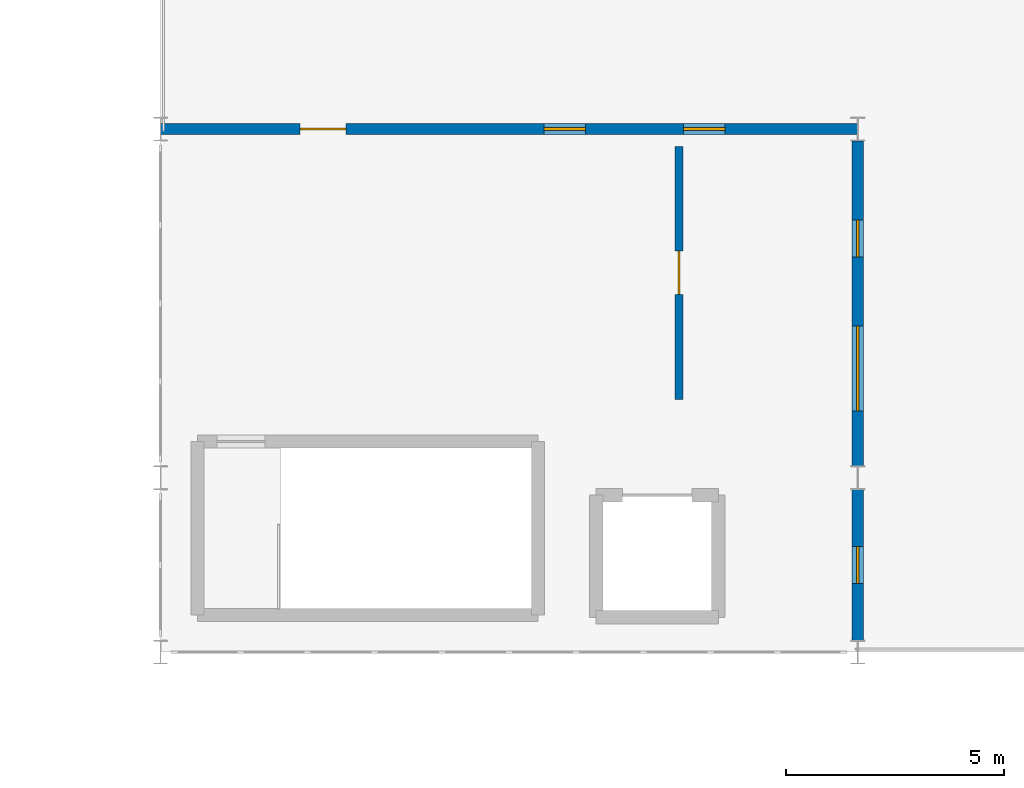
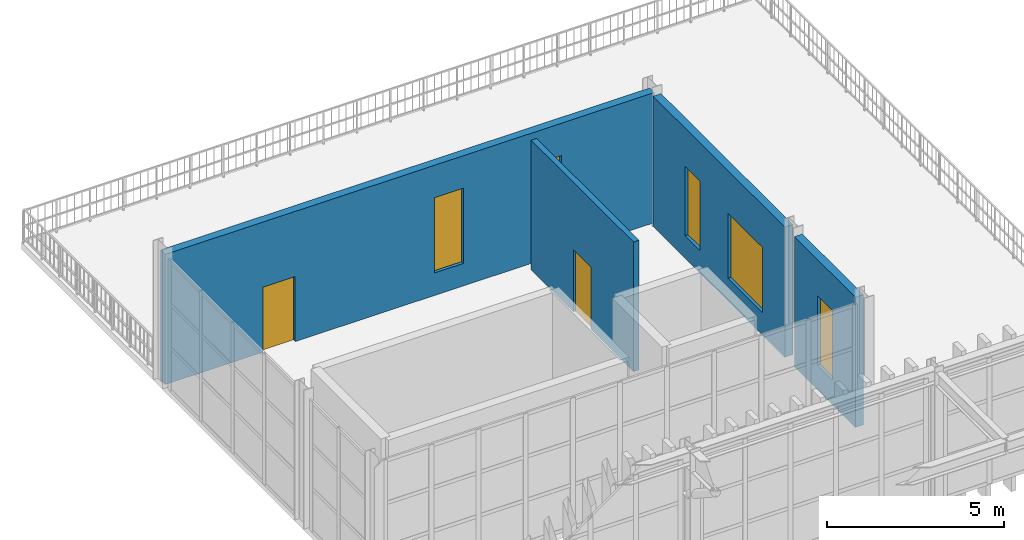
# One storey, part 52 of 61: 5 windows, 4 walls, 2 doors, 7 openings.
"""IFC4 building model written with IfcOpenShell, lengths in metres."""

from ifc_helpers import new_model, si_unit, direction, frame, frame_2d, origin, place, context, subcontext, project, spatial, rectangle, extrude, material, layer, layer_set, type_object, element, fill, save


model = new_model("IFC4")

# Units and contexts
model_context = context("Model", 3, precision=1e-05, world=origin(), true_north=direction((0.0, 1.0)))
body_context = subcontext(model_context, "Body", "Model", "MODEL_VIEW")
ifc_project = project(units=[si_unit("LENGTHUNIT", "METRE"), si_unit("AREAUNIT", "SQUARE_METRE"), si_unit("VOLUMEUNIT", "CUBIC_METRE"), si_unit("PLANEANGLEUNIT", "RADIAN"), si_unit("MASSUNIT", "GRAM", prefix="KILO")], contexts=[model_context])

# Site, building, storey
site_placement = place(None, origin())
site = spatial("IfcSite", under=ifc_project, at=site_placement, CompositionType="ELEMENT")
building_placement = place(site_placement, origin())
building = spatial("IfcBuilding", under=site, at=building_placement, Name="Serraluz Foothill Cableway Terminal", CompositionType="ELEMENT")
storey_placement = place(building_placement, frame((0.0, 0.0, 15.0)))
storey = spatial("IfcBuildingStorey", under=building, at=storey_placement, Name="L03", CompositionType="ELEMENT", Elevation=15.0)

# Wall, openings, door, windows
ifc_material_1 = material(Name="Fired clay masonry brick (f'm 12 MPa)", Category="masonry")
ifc_layer_1 = layer(ifc_material_1, 0.260009765625, Name="Fired clay masonry brick (f'm 12 MPa)", Category="masonry")
ifc_layer_set_1 = layer_set([ifc_layer_1], Name="Fired clay masonry brick (f'm 12 MPa)")
wall_type_1 = type_object("IfcWallType", Name="TYP-WL-EXT-260", PredefinedType="STANDARD", material=ifc_layer_set_1)
wall_1_placement = place(storey_placement, frame((80.006103515625, 88.0, 0.0), z_axis=(0.0, 0.0, 1.0), x_axis=(1.0, 0.0, 0.0)))
wall_1 = element("IfcWall", 1, at=wall_1_placement, inside=storey, type_object=wall_type_1, Name="Exterior Masonry Wall EW-V4N-L03", PredefinedType="STANDARD", context=body_context, shape_type="SweptSolid", body=[
    extrude(rectangle(XDim=15.98779296875, YDim=0.260009765625, at=frame_2d((7.993896484375, 0.0))), origin(), (0.0, 0.0, 1.0), 4.5),
])
opening_1_placement = place(wall_1_placement, frame((8.798095703125, 0.0, 0.780029296875)))
opening_1 = element("IfcOpeningElement", 2, at=opening_1_placement, cuts=wall_1, Name="Opening W-03", PredefinedType="OPENING", context=body_context, shape_type="SweptSolid", body=[
    extrude(rectangle(XDim=0.949951171875, YDim=2.60009765625, at=frame_2d((0.47509765625, 1.300048828125))), frame((0.0, 0.14013671875, 0.0), z_axis=(0.0, -1.0, 0.0), x_axis=(1.0, 0.0, 0.0)), (0.0, 0.0, 1.0), 0.280029296875),
])
opening_2_placement = place(wall_1_placement, frame((11.99560546875, 0.0, 0.780029296875)))
opening_2 = element("IfcOpeningElement", 3, at=opening_2_placement, cuts=wall_1, Name="Opening W-03", PredefinedType="OPENING", context=body_context, shape_type="SweptSolid", body=[
    extrude(rectangle(XDim=0.949951171875, YDim=2.60009765625, at=frame_2d((0.47509765625, 1.300048828125))), frame((0.0, 0.14013671875, 0.0), z_axis=(0.0, -1.0, 0.0), x_axis=(1.0, 0.0, 0.0)), (0.0, 0.0, 1.0), 0.280029296875),
])
opening_3_placement = place(wall_1_placement, frame((3.199951171875, 0.0, 0.0)))
opening_3 = element("IfcOpeningElement", 4, at=opening_3_placement, cuts=wall_1, Name="Opening DT-01", PredefinedType="OPENING", context=body_context, shape_type="SweptSolid", body=[
    extrude(rectangle(XDim=1.050048828125, YDim=2.25, at=frame_2d((0.52490234375, 1.125))), frame((0.0, 0.14013671875, 0.0), z_axis=(0.0, -1.0, 0.0), x_axis=(1.0, 0.0, 0.0)), (0.0, 0.0, 1.0), 0.280029296875),
])
ifc_material_2 = material(Name="Architectural bronze alloy C28000", Category="aluminium")
door_type_1 = type_object("IfcDoorType", Name="TYP-DR-TER-1050", OperationType="NOTDEFINED", PredefinedType="DOOR", material=ifc_material_2)
door_1_placement = place(opening_3_placement, origin())
door_1 = element("IfcDoor", 5, at=door_1_placement, inside=storey, type_object=door_type_1, Name="SCADA North Terrace Access Door L03", OperationType="SINGLE_SWING_RIGHT", OverallHeight=2.25, OverallWidth=1.050048828125, PredefinedType="DOOR", context=body_context, shape_type="SweptSolid", body=[
    extrude(rectangle(XDim=1.050048828125, YDim=2.25, at=frame_2d((0.52490234375, 1.125))), frame((0.0, 0.02490234375, 0.0), z_axis=(0.0, -1.0, 0.0), x_axis=(1.0, 0.0, 0.0)), (0.0, 0.0, 1.0), 0.050048828125),
])
fill(opening_3, door_1)
ifc_material_3 = material(Name="Laminated low-E safety glass", Category="glass")
window_type_1 = type_object("IfcWindowType", Name="TYP-WN-095X260", PartitioningType="SINGLE_PANEL", PredefinedType="WINDOW", material=ifc_material_3)
window_1_placement = place(opening_1_placement, origin())
window_1 = element("IfcWindow", 6, at=window_1_placement, inside=storey, type_object=window_type_1, Name="Exterior Window EW-V4N-L03-WN1", OverallHeight=2.60009765625, OverallWidth=0.949951171875, PartitioningType="SINGLE_PANEL", PredefinedType="WINDOW", context=body_context, shape_type="SweptSolid", body=[
    extrude(rectangle(XDim=0.949951171875, YDim=2.60009765625, at=frame_2d((0.47509765625, 1.300048828125))), frame((0.0, 0.030029296875, 0.0), z_axis=(0.0, -1.0, 0.0), x_axis=(1.0, 0.0, 0.0)), (0.0, 0.0, 1.0), 0.06005859375),
])
fill(opening_1, window_1)
window_2_placement = place(opening_2_placement, origin())
window_2 = element("IfcWindow", 7, at=window_2_placement, inside=storey, type_object=window_type_1, Name="Exterior Window EW-V4N-L03-WN2", OverallHeight=2.60009765625, OverallWidth=0.949951171875, PartitioningType="SINGLE_PANEL", PredefinedType="WINDOW", context=body_context, shape_type="SweptSolid", body=[
    extrude(rectangle(XDim=0.949951171875, YDim=2.60009765625, at=frame_2d((0.47509765625, 1.300048828125))), frame((0.0, 0.030029296875, 0.0), z_axis=(0.0, -1.0, 0.0), x_axis=(1.0, 0.0, 0.0)), (0.0, 0.0, 1.0), 0.06005859375),
])
fill(opening_2, window_2)

# Wall, openings, windows
wall_2_placement = place(storey_placement, frame((96.0, 87.728515625, 0.0), z_axis=(0.0, 0.0, 1.0), x_axis=(0.0, -1.0, 0.0)))
wall_2 = element("IfcWall", 8, at=wall_2_placement, inside=storey, type_object=wall_type_1, Name="Exterior Masonry Wall EW-V4E-L03A", PredefinedType="STANDARD", context=body_context, shape_type="SweptSolid", body=[
    extrude(rectangle(XDim=7.45703125, YDim=0.260009765625, at=frame_2d((3.728515625, 0.0))), origin(), (0.0, 0.0, 1.0), 4.5),
])
opening_4_placement = place(wall_2_placement, frame((1.81201171875, 0.0, 0.780029296875)))
opening_4 = element("IfcOpeningElement", 9, at=opening_4_placement, cuts=wall_2, Name="Opening W-02", PredefinedType="OPENING", context=body_context, shape_type="SweptSolid", body=[
    extrude(rectangle(XDim=0.85009765625, YDim=2.39990234375, at=frame_2d((0.425048828125, 1.199951171875))), frame((0.0, 0.14013671875, 0.0), z_axis=(0.0, -1.0, 0.0), x_axis=(1.0, 0.0, 0.0)), (0.0, 0.0, 1.0), 0.280029296875),
])
opening_5_placement = place(wall_2_placement, frame((4.244873046875, 0.0, 0.780029296875)))
opening_5 = element("IfcOpeningElement", 10, at=opening_5_placement, cuts=wall_2, Name="Opening W-28", PredefinedType="OPENING", context=body_context, shape_type="SweptSolid", body=[
    extrude(rectangle(XDim=1.949951171875, YDim=2.25, at=frame_2d((0.97509765625, 1.125))), frame((0.0, 0.14013671875, 0.0), z_axis=(0.0, -1.0, 0.0), x_axis=(1.0, 0.0, 0.0)), (0.0, 0.0, 1.0), 0.280029296875),
])
window_type_2 = type_object("IfcWindowType", Name="TYP-WN-085X240", PartitioningType="SINGLE_PANEL", PredefinedType="WINDOW", material=ifc_material_3)
window_3_placement = place(opening_4_placement, origin())
window_3 = element("IfcWindow", 11, at=window_3_placement, inside=storey, type_object=window_type_2, Name="Exterior Window EW-V4E-L03A-WN1", OverallHeight=2.39990234375, OverallWidth=0.85009765625, PartitioningType="SINGLE_PANEL", PredefinedType="WINDOW", context=body_context, shape_type="SweptSolid", body=[
    extrude(rectangle(XDim=0.85009765625, YDim=2.39990234375, at=frame_2d((0.425048828125, 1.199951171875))), frame((0.0, 0.030029296875, 0.0), z_axis=(0.0, -1.0, 0.0), x_axis=(1.0, 0.0, 0.0)), (0.0, 0.0, 1.0), 0.06005859375),
])
fill(opening_4, window_3)
window_type_3 = type_object("IfcWindowType", Name="TYP-WN-195X225", PartitioningType="DOUBLE_PANEL_VERTICAL", PredefinedType="WINDOW", material=ifc_material_3)
window_4_placement = place(opening_5_placement, origin())
window_4 = element("IfcWindow", 12, at=window_4_placement, inside=storey, type_object=window_type_3, Name="Exterior Window EW-V4E-L03A-WN2", OverallHeight=2.25, OverallWidth=1.949951171875, PartitioningType="SINGLE_PANEL", PredefinedType="WINDOW", context=body_context, shape_type="SweptSolid", body=[
    extrude(rectangle(XDim=1.949951171875, YDim=2.25, at=frame_2d((0.97509765625, 1.125))), frame((0.0, 0.030029296875, 0.0), z_axis=(0.0, -1.0, 0.0), x_axis=(1.0, 0.0, 0.0)), (0.0, 0.0, 1.0), 0.06005859375),
])
fill(opening_5, window_4)

# Wall, opening, window
wall_3_placement = place(storey_placement, frame((96.0, 79.728515625, 0.0), z_axis=(0.0, 0.0, 1.0), x_axis=(0.0, -1.0, 0.0)))
wall_3 = element("IfcWall", 13, at=wall_3_placement, inside=storey, type_object=wall_type_1, Name="Exterior Masonry Wall EW-V4E-L03B", PredefinedType="STANDARD", context=body_context, shape_type="SweptSolid", body=[
    extrude(rectangle(XDim=3.45703125, YDim=0.260009765625, at=frame_2d((1.728515625, 0.0))), origin(), (0.0, 0.0, 1.0), 4.5),
])
opening_6_placement = place(wall_3_placement, frame((1.303466796875, 0.0, 0.85009765625)))
opening_6 = element("IfcOpeningElement", 14, at=opening_6_placement, cuts=wall_3, Name="Opening W-02", PredefinedType="OPENING", context=body_context, shape_type="SweptSolid", body=[
    extrude(rectangle(XDim=0.85009765625, YDim=2.39990234375, at=frame_2d((0.425048828125, 1.199951171875))), frame((0.0, 0.14013671875, 0.0), z_axis=(0.0, -1.0, 0.0), x_axis=(1.0, 0.0, 0.0)), (0.0, 0.0, 1.0), 0.280029296875),
])
window_5_placement = place(opening_6_placement, origin())
window_5 = element("IfcWindow", 15, at=window_5_placement, inside=storey, type_object=window_type_2, Name="Exterior Window EW-V4E-L03B-WN1", OverallHeight=2.39990234375, OverallWidth=0.85009765625, PartitioningType="SINGLE_PANEL", PredefinedType="WINDOW", context=body_context, shape_type="SweptSolid", body=[
    extrude(rectangle(XDim=0.85009765625, YDim=2.39990234375, at=frame_2d((0.425048828125, 1.199951171875))), frame((0.0, 0.030029296875, 0.0), z_axis=(0.0, -1.0, 0.0), x_axis=(1.0, 0.0, 0.0)), (0.0, 0.0, 1.0), 0.06005859375),
])
fill(opening_6, window_5)

# Wall, opening, door
ifc_layer_2 = layer(ifc_material_1, 0.179931640625, Name="Fired clay masonry brick (f'm 12 MPa)", Category="masonry")
ifc_layer_set_2 = layer_set([ifc_layer_2], Name="Fired clay masonry brick (f'm 12 MPa)")
wall_type_2 = type_object("IfcWallType", Name="TYP-WL-PRT-180", PredefinedType="PARTITIONING", material=ifc_layer_set_2)
wall_4_placement = place(storey_placement, frame((91.89990234375, 81.800048828125, 0.0), z_axis=(0.0, 0.0, 1.0), x_axis=(0.0, 1.0, 0.0)))
wall_4 = element("IfcWall", 16, at=wall_4_placement, inside=storey, type_object=wall_type_2, Name="Interior Partition PT-L03-04", PredefinedType="PARTITIONING", context=body_context, shape_type="SweptSolid", body=[
    extrude(rectangle(XDim=5.800048828125, YDim=0.179931640625, at=frame_2d((2.89990234375, 0.0))), origin(), (0.0, 0.0, 1.0), 4.47998046875),
])
opening_7_placement = place(wall_4_placement, frame((2.39990234375, 0.0, 0.0)))
opening_7 = element("IfcOpeningElement", 17, at=opening_7_placement, cuts=wall_4, Name="Opening DF-02", PredefinedType="OPENING", context=body_context, shape_type="SweptSolid", body=[
    extrude(rectangle(XDim=1.0, YDim=2.14990234375, at=frame_2d((0.5, 1.074951171875))), frame((0.0, 0.10009765625, 0.0), z_axis=(0.0, -1.0, 0.0), x_axis=(1.0, 0.0, 0.0)), (0.0, 0.0, 1.0), 0.199951171875),
])
ifc_material_4 = material(Name="Galvanized hollow-metal steel sheet", Category="steel")
door_type_2 = type_object("IfcDoorType", Name="TYP-DR-FD30-1000", OperationType="NOTDEFINED", PredefinedType="DOOR", material=ifc_material_4)
door_2_placement = place(opening_7_placement, origin())
door_2 = element("IfcDoor", 18, at=door_2_placement, inside=storey, type_object=door_type_2, Name="Interior Door PT-L03-04-DR1", OperationType="SINGLE_SWING_LEFT", OverallHeight=2.14990234375, OverallWidth=1.0, PredefinedType="DOOR", context=body_context, shape_type="SweptSolid", body=[
    extrude(rectangle(XDim=1.0, YDim=2.14990234375, at=frame_2d((0.5, 1.074951171875))), frame((0.0, 0.02490234375, 0.0), z_axis=(0.0, -1.0, 0.0), x_axis=(1.0, 0.0, 0.0)), (0.0, 0.0, 1.0), 0.050048828125),
])
fill(opening_7, door_2)

save(model, "model.ifc")
